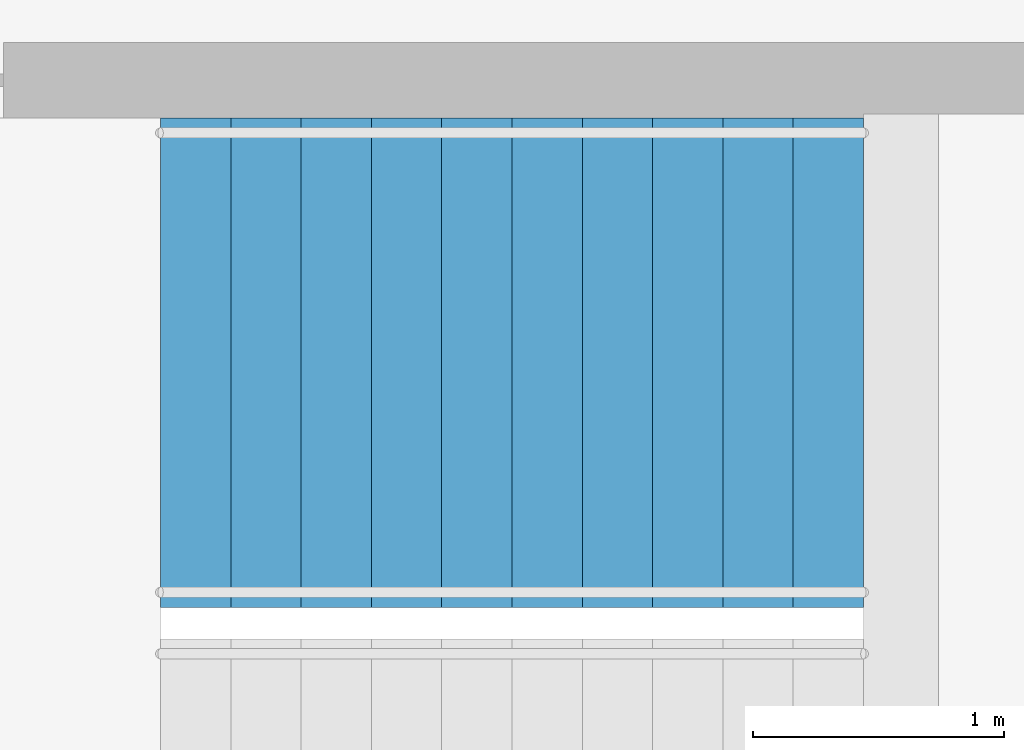
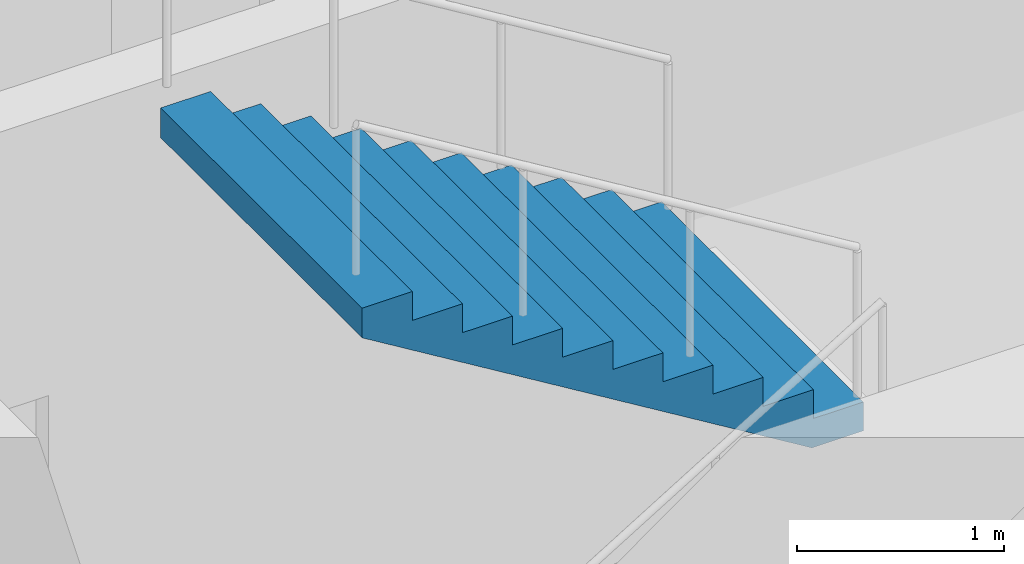
# One storey, part 19 of 22: 1 stair flight, 1 element without a shape of its own.
"""IFC4 building model written with IfcOpenShell, lengths in metres."""

from ifc_helpers import new_model, si_unit, direction, frame, origin, place, context, subcontext, project, spatial, triangles, material, type_object, element, aggregate, save


model = new_model("IFC4")

# Units and contexts
model_context = context("Model", 3, precision=1e-05, world=origin(), true_north=direction((0.0, 1.0)))
body_context = subcontext(model_context, "Body", "Model", "MODEL_VIEW")
ifc_project = project(units=[si_unit("LENGTHUNIT", "METRE"), si_unit("AREAUNIT", "SQUARE_METRE"), si_unit("VOLUMEUNIT", "CUBIC_METRE"), si_unit("PLANEANGLEUNIT", "RADIAN"), si_unit("MASSUNIT", "GRAM", prefix="KILO")], contexts=[model_context])

# Site, building, storey
site_placement = place(None, origin())
site = spatial("IfcSite", under=ifc_project, at=site_placement, CompositionType="ELEMENT")
building_placement = place(site_placement, origin())
building = spatial("IfcBuilding", under=site, at=building_placement, Name="Orbita Commons", CompositionType="ELEMENT")
storey_placement = place(building_placement, frame((0.0, 0.0, 156.10009765625)))
storey = spatial("IfcBuildingStorey", under=building, at=storey_placement, Name="L38", CompositionType="ELEMENT", Elevation=156.10009765625)

# Stair, stair flight
ifc_material_1 = material(Name="Precast concrete C40/50", Category="concrete")
stair_type = type_object("IfcStairType", Name="Exit stair S1 2 flights 11 risers 170", PredefinedType="HALF_TURN_STAIR", material=ifc_material_1)
stair_placement = place(storey_placement, origin())
stair = element("IfcStair", 1, at=stair_placement, inside=storey, type_object=stair_type, Name="Exit stair S1 L38", PredefinedType="HALF_TURN_STAIR")
ifc_material_2 = material(Name="Precast concrete C40/50", Category="concrete")
stair_flight_type = type_object("IfcStairFlightType", Name="Stair flight 11 risers 170 x 280", PredefinedType="STRAIGHT", material=ifc_material_2)
stair_flight_placement = place(storey_placement, frame((23.25, 29.27490234375, 1.875), z_axis=(0.0, 0.0, 1.0), x_axis=(-1.0, 0.0, 0.0)))
stair_flight = element("IfcStairFlight", 2, at=stair_flight_placement, type_object=stair_flight_type, Name="S1 flight 2", NumberOfRisers=11, NumberOfTreads=10, PredefinedType="STRAIGHT", RiserHeight=0.170454545, TreadLength=0.28, context=body_context, shape_type="Tessellation", body=[
    triangles([(0.0, 0.974976, 0.0), (0.0, 0.974976, 0.021307), (0.0, 0.81248, 0.021307), (0.0, 0.81248, 0.0), (0.0, 0.649984, 0.021307), (0.0, 0.649984, 0.0), (0.0, 0.487488, 0.021307), (0.0, 0.487488, 0.0), (0.0, 0.324992, 0.021307), (0.0, 0.324992, 0.0), (0.0, 0.162496, 0.021307), (0.0, 0.162496, 0.0), (0.0, 0.0, 0.021307), (0.0, 0.0, 0.0), (0.0, -0.162496, 0.021307), (0.0, -0.162496, 0.0), (0.0, -0.324992, 0.021307), (0.0, -0.324992, 0.0), (0.0, -0.487488, 0.021307), (0.0, -0.487488, 0.0), (0.0, -0.649984, 0.021307), (0.0, -0.649984, 0.0), (0.0, -0.81248, 0.021307), (0.0, -0.81248, 0.0), (0.0, -0.974976, 0.021307), (0.0, -0.974976, 0.0), (0.0, 0.974976, 0.042614), (0.0, 0.81248, 0.042614), (0.0, 0.649984, 0.042614), (0.0, 0.487488, 0.042614), (0.0, 0.324992, 0.042614), (0.0, 0.162496, 0.042614), (0.0, 0.0, 0.042614), (0.0, -0.162496, 0.042614), (0.0, -0.324992, 0.042614), (0.0, -0.487488, 0.042614), (0.0, -0.649984, 0.042614), (0.0, -0.81248, 0.042614), (0.0, -0.974976, 0.042614), (0.0, 0.974976, 0.06392), (0.0, 0.81248, 0.06392), (0.0, 0.649984, 0.06392), (0.0, 0.487488, 0.06392), (0.0, 0.324992, 0.06392), (0.0, 0.162496, 0.06392), (0.0, 0.0, 0.06392), (0.0, -0.162496, 0.06392), (0.0, -0.324992, 0.06392), (0.0, -0.487488, 0.06392), (0.0, -0.649984, 0.06392), (0.0, -0.81248, 0.06392), (0.0, -0.974976, 0.06392), (0.0, 0.974976, 0.085227), (0.0, 0.81248, 0.085227), (0.0, 0.649984, 0.085227), (0.0, 0.487488, 0.085227), (0.0, 0.324992, 0.085227), (0.0, 0.162496, 0.085227), (0.0, 0.0, 0.085227), (0.0, -0.162496, 0.085227), (0.0, -0.324992, 0.085227), (0.0, -0.487488, 0.085227), (0.0, -0.649984, 0.085227), (0.0, -0.81248, 0.085227), (0.0, -0.974976, 0.085227), (0.0, 0.974976, 0.106534), (0.0, 0.81248, 0.106534), (0.0, 0.649984, 0.106534), (0.0, 0.487488, 0.106534), (0.0, 0.324992, 0.106534), (0.0, 0.162496, 0.106534), (0.0, 0.0, 0.106534), (0.0, -0.162496, 0.106534), (0.0, -0.324992, 0.106534), (0.0, -0.487488, 0.106534), (0.0, -0.649984, 0.106534), (0.0, -0.81248, 0.106534), (0.0, -0.974976, 0.106534), (0.0, 0.974976, 0.127841), (0.0, 0.81248, 0.127841), (0.0, 0.649984, 0.127841), (0.0, 0.487488, 0.127841), (0.0, 0.324992, 0.127841), (0.0, 0.162496, 0.127841), (0.0, 0.0, 0.127841), (0.0, -0.162496, 0.127841), (0.0, -0.324992, 0.127841), (0.0, -0.487488, 0.127841), (0.0, -0.649984, 0.127841), (0.0, -0.81248, 0.127841), (0.0, -0.974976, 0.127841), (0.0, 0.974976, 0.149148), (0.0, 0.81248, 0.149148), (0.0, 0.649984, 0.149148), (0.0, 0.487488, 0.149148), (0.0, 0.324992, 0.149148), (0.0, 0.162496, 0.149148), (0.0, 0.0, 0.149148), (0.0, -0.162496, 0.149148), (0.0, -0.324992, 0.149148), (0.0, -0.487488, 0.149148), (0.0, -0.649984, 0.149148), (0.0, -0.81248, 0.149148), (0.0, -0.974976, 0.149148), (0.0, 0.974976, 0.170455), (0.0, 0.81248, 0.170455), (0.0, 0.649984, 0.170455), (0.0, 0.487488, 0.170455), (0.0, 0.324992, 0.170455), (0.0, 0.162496, 0.170455), (0.0, 0.0, 0.170455), (0.0, -0.162496, 0.170455), (0.0, -0.324992, 0.170455), (0.0, -0.487488, 0.170455), (0.0, -0.649984, 0.170455), (0.0, -0.81248, 0.170455), (0.0, -0.974976, 0.170455), (0.28, 0.974976, 0.170455), (0.28, 0.81248, 0.170455), (0.28, 0.649984, 0.170455), (0.28, 0.487488, 0.170455), (0.28, 0.324992, 0.170455), (0.28, 0.162496, 0.170455), (0.28, 0.0, 0.170455), (0.28, -0.162496, 0.170455), (0.28, -0.324992, 0.170455), (0.28, -0.487488, 0.170455), (0.28, -0.649984, 0.170455), (0.28, -0.81248, 0.170455), (0.28, -0.974976, 0.170455), (0.28, 0.974976, 0.340909), (0.28, 0.81248, 0.340909), (0.28, 0.649984, 0.340909), (0.28, 0.487488, 0.340909), (0.28, 0.324992, 0.340909), (0.28, 0.162496, 0.340909), (0.28, 0.0, 0.340909), (0.28, -0.162496, 0.340909), (0.28, -0.324992, 0.340909), (0.28, -0.487488, 0.340909), (0.28, -0.649984, 0.340909), (0.28, -0.81248, 0.340909), (0.28, -0.974976, 0.340909), (0.56, 0.974976, 0.340909), (0.56, 0.81248, 0.340909), (0.56, 0.649984, 0.340909), (0.56, 0.487488, 0.340909), (0.56, 0.324992, 0.340909), (0.56, 0.162496, 0.340909), (0.56, 0.0, 0.340909), (0.56, -0.162496, 0.340909), (0.56, -0.324992, 0.340909), (0.56, -0.487488, 0.340909), (0.56, -0.649984, 0.340909), (0.56, -0.81248, 0.340909), (0.56, -0.974976, 0.340909), (0.56, 0.974976, 0.511364), (0.56, 0.81248, 0.511364), (0.56, 0.649984, 0.511364), (0.56, 0.487488, 0.511364), (0.56, 0.324992, 0.511364), (0.56, 0.162496, 0.511364), (0.56, 0.0, 0.511364), (0.56, -0.162496, 0.511364), (0.56, -0.324992, 0.511364), (0.56, -0.487488, 0.511364), (0.56, -0.649984, 0.511364), (0.56, -0.81248, 0.511364), (0.56, -0.974976, 0.511364), (0.84, 0.974976, 0.511364), (0.84, 0.81248, 0.511364), (0.84, 0.649984, 0.511364), (0.84, 0.487488, 0.511364), (0.84, 0.324992, 0.511364), (0.84, 0.162496, 0.511364), (0.84, 0.0, 0.511364), (0.84, -0.162496, 0.511364), (0.84, -0.324992, 0.511364), (0.84, -0.487488, 0.511364), (0.84, -0.649984, 0.511364), (0.84, -0.81248, 0.511364), (0.84, -0.974976, 0.511364), (0.84, 0.974976, 0.681818), (0.84, 0.81248, 0.681818), (0.84, 0.649984, 0.681818), (0.84, 0.487488, 0.681818), (0.84, 0.324992, 0.681818), (0.84, 0.162496, 0.681818), (0.84, 0.0, 0.681818), (0.84, -0.162496, 0.681818), (0.84, -0.324992, 0.681818), (0.84, -0.487488, 0.681818), (0.84, -0.649984, 0.681818), (0.84, -0.81248, 0.681818), (0.84, -0.974976, 0.681818), (1.12, 0.974976, 0.681818), (1.12, 0.81248, 0.681818), (1.12, 0.649984, 0.681818), (1.12, 0.487488, 0.681818), (1.12, 0.324992, 0.681818), (1.12, 0.162496, 0.681818), (1.12, 0.0, 0.681818), (1.12, -0.162496, 0.681818), (1.12, -0.324992, 0.681818), (1.12, -0.487488, 0.681818), (1.12, -0.649984, 0.681818), (1.12, -0.81248, 0.681818), (1.12, -0.974976, 0.681818), (1.12, 0.974976, 0.852273), (1.12, 0.81248, 0.852273), (1.12, 0.649984, 0.852273), (1.12, 0.487488, 0.852273), (1.12, 0.324992, 0.852273), (1.12, 0.162496, 0.852273), (1.12, 0.0, 0.852273), (1.12, -0.162496, 0.852273), (1.12, -0.324992, 0.852273), (1.12, -0.487488, 0.852273), (1.12, -0.649984, 0.852273), (1.12, -0.81248, 0.852273), (1.12, -0.974976, 0.852273), (1.4, 0.974976, 0.852273), (1.4, 0.81248, 0.852273), (1.4, 0.649984, 0.852273), (1.4, 0.487488, 0.852273), (1.4, 0.324992, 0.852273), (1.4, 0.162496, 0.852273), (1.4, 0.0, 0.852273), (1.4, -0.162496, 0.852273), (1.4, -0.324992, 0.852273), (1.4, -0.487488, 0.852273), (1.4, -0.649984, 0.852273), (1.4, -0.81248, 0.852273), (1.4, -0.974976, 0.852273), (1.4, 0.974976, 1.022727), (1.4, 0.81248, 1.022727), (1.4, 0.649984, 1.022727), (1.4, 0.487488, 1.022727), (1.4, 0.324992, 1.022727), (1.4, 0.162496, 1.022727), (1.4, 0.0, 1.022727), (1.4, -0.162496, 1.022727), (1.4, -0.324992, 1.022727), (1.4, -0.487488, 1.022727), (1.4, -0.649984, 1.022727), (1.4, -0.81248, 1.022727), (1.4, -0.974976, 1.022727), (1.68, 0.974976, 1.022727), (1.68, 0.81248, 1.022727), (1.68, 0.649984, 1.022727), (1.68, 0.487488, 1.022727), (1.68, 0.324992, 1.022727), (1.68, 0.162496, 1.022727), (1.68, 0.0, 1.022727), (1.68, -0.162496, 1.022727), (1.68, -0.324992, 1.022727), (1.68, -0.487488, 1.022727), (1.68, -0.649984, 1.022727), (1.68, -0.81248, 1.022727), (1.68, -0.974976, 1.022727), (1.68, 0.974976, 1.193182), (1.68, 0.81248, 1.193182), (1.68, 0.649984, 1.193182), (1.68, 0.487488, 1.193182), (1.68, 0.324992, 1.193182), (1.68, 0.162496, 1.193182), (1.68, 0.0, 1.193182), (1.68, -0.162496, 1.193182), (1.68, -0.324992, 1.193182), (1.68, -0.487488, 1.193182), (1.68, -0.649984, 1.193182), (1.68, -0.81248, 1.193182), (1.68, -0.974976, 1.193182), (1.96, 0.974976, 1.193182), (1.96, 0.81248, 1.193182), (1.96, 0.649984, 1.193182), (1.96, 0.487488, 1.193182), (1.96, 0.324992, 1.193182), (1.96, 0.162496, 1.193182), (1.96, 0.0, 1.193182), (1.96, -0.162496, 1.193182), (1.96, -0.324992, 1.193182), (1.96, -0.487488, 1.193182), (1.96, -0.649984, 1.193182), (1.96, -0.81248, 1.193182), (1.96, -0.974976, 1.193182), (1.96, 0.974976, 1.363636), (1.96, 0.81248, 1.363636), (1.96, 0.649984, 1.363636), (1.96, 0.487488, 1.363636), (1.96, 0.324992, 1.363636), (1.96, 0.162496, 1.363636), (1.96, 0.0, 1.363636), (1.96, -0.162496, 1.363636), (1.96, -0.324992, 1.363636), (1.96, -0.487488, 1.363636), (1.96, -0.649984, 1.363636), (1.96, -0.81248, 1.363636), (1.96, -0.974976, 1.363636), (2.24, 0.974976, 1.363636), (2.24, 0.81248, 1.363636), (2.24, 0.649984, 1.363636), (2.24, 0.487488, 1.363636), (2.24, 0.324992, 1.363636), (2.24, 0.162496, 1.363636), (2.24, 0.0, 1.363636), (2.24, -0.162496, 1.363636), (2.24, -0.324992, 1.363636), (2.24, -0.487488, 1.363636), (2.24, -0.649984, 1.363636), (2.24, -0.81248, 1.363636), (2.24, -0.974976, 1.363636), (2.24, 0.974976, 1.534091), (2.24, 0.81248, 1.534091), (2.24, 0.649984, 1.534091), (2.24, 0.487488, 1.534091), (2.24, 0.324992, 1.534091), (2.24, 0.162496, 1.534091), (2.24, 0.0, 1.534091), (2.24, -0.162496, 1.534091), (2.24, -0.324992, 1.534091), (2.24, -0.487488, 1.534091), (2.24, -0.649984, 1.534091), (2.24, -0.81248, 1.534091), (2.24, -0.974976, 1.534091), (2.52, 0.974976, 1.534091), (2.52, 0.81248, 1.534091), (2.52, 0.649984, 1.534091), (2.52, 0.487488, 1.534091), (2.52, 0.324992, 1.534091), (2.52, 0.162496, 1.534091), (2.52, 0.0, 1.534091), (2.52, -0.162496, 1.534091), (2.52, -0.324992, 1.534091), (2.52, -0.487488, 1.534091), (2.52, -0.649984, 1.534091), (2.52, -0.81248, 1.534091), (2.52, -0.974976, 1.534091), (2.52, 0.974976, 1.704545), (2.52, 0.81248, 1.704545), (2.52, 0.649984, 1.704545), (2.52, 0.487488, 1.704545), (2.52, 0.324992, 1.704545), (2.52, 0.162496, 1.704545), (2.52, 0.0, 1.704545), (2.52, -0.162496, 1.704545), (2.52, -0.324992, 1.704545), (2.52, -0.487488, 1.704545), (2.52, -0.649984, 1.704545), (2.52, -0.81248, 1.704545), (2.52, -0.974976, 1.704545), (2.8, 0.974976, 1.704545), (2.8, 0.81248, 1.704545), (2.8, 0.649984, 1.704545), (2.8, 0.487488, 1.704545), (2.8, 0.324992, 1.704545), (2.8, 0.162496, 1.704545), (2.8, 0.0, 1.704545), (2.8, -0.162496, 1.704545), (2.8, -0.324992, 1.704545), (2.8, -0.487488, 1.704545), (2.8, -0.649984, 1.704545), (2.8, -0.81248, 1.704545), (2.8, -0.974976, 1.704545), (2.8, 0.974976, 1.682609), (2.8, 0.81248, 1.682609), (2.8, 0.649984, 1.682609), (2.8, 0.487488, 1.682609), (2.8, 0.324992, 1.682609), (2.8, 0.162496, 1.682609), (2.8, 0.0, 1.682609), (2.8, -0.162496, 1.682609), (2.8, -0.324992, 1.682609), (2.8, -0.487488, 1.682609), (2.8, -0.649984, 1.682609), (2.8, -0.81248, 1.682609), (2.8, -0.974976, 1.682609), (2.8, 0.974976, 1.660672), (2.8, 0.81248, 1.660672), (2.8, 0.649984, 1.660672), (2.8, 0.487488, 1.660672), (2.8, 0.324992, 1.660672), (2.8, 0.162496, 1.660672), (2.8, 0.0, 1.660672), (2.8, -0.162496, 1.660672), (2.8, -0.324992, 1.660672), (2.8, -0.487488, 1.660672), (2.8, -0.649984, 1.660672), (2.8, -0.81248, 1.660672), (2.8, -0.974976, 1.660672), (2.8, 0.974976, 1.638735), (2.8, 0.81248, 1.638735), (2.8, 0.649984, 1.638735), (2.8, 0.487488, 1.638735), (2.8, 0.324992, 1.638735), (2.8, 0.162496, 1.638735), (2.8, 0.0, 1.638735), (2.8, -0.162496, 1.638735), (2.8, -0.324992, 1.638735), (2.8, -0.487488, 1.638735), (2.8, -0.649984, 1.638735), (2.8, -0.81248, 1.638735), (2.8, -0.974976, 1.638735), (2.8, 0.974976, 1.616798), (2.8, 0.81248, 1.616798), (2.8, 0.649984, 1.616798), (2.8, 0.487488, 1.616798), (2.8, 0.324992, 1.616798), (2.8, 0.162496, 1.616798), (2.8, 0.0, 1.616798), (2.8, -0.162496, 1.616798), (2.8, -0.324992, 1.616798), (2.8, -0.487488, 1.616798), (2.8, -0.649984, 1.616798), (2.8, -0.81248, 1.616798), (2.8, -0.974976, 1.616798), (2.8, 0.974976, 1.594861), (2.8, 0.81248, 1.594861), (2.8, 0.649984, 1.594861), (2.8, 0.487488, 1.594861), (2.8, 0.324992, 1.594861), (2.8, 0.162496, 1.594861), (2.8, 0.0, 1.594861), (2.8, -0.162496, 1.594861), (2.8, -0.324992, 1.594861), (2.8, -0.487488, 1.594861), (2.8, -0.649984, 1.594861), (2.8, -0.81248, 1.594861), (2.8, -0.974976, 1.594861), (2.8, 0.974976, 1.572925), (2.8, 0.81248, 1.572925), (2.8, 0.649984, 1.572925), (2.8, 0.487488, 1.572925), (2.8, 0.324992, 1.572925), (2.8, 0.162496, 1.572925), (2.8, 0.0, 1.572925), (2.8, -0.162496, 1.572925), (2.8, -0.324992, 1.572925), (2.8, -0.487488, 1.572925), (2.8, -0.649984, 1.572925), (2.8, -0.81248, 1.572925), (2.8, -0.974976, 1.572925), (2.8, 0.974976, 1.550988), (2.8, 0.81248, 1.550988), (2.8, 0.649984, 1.550988), (2.8, 0.487488, 1.550988), (2.8, 0.324992, 1.550988), (2.8, 0.162496, 1.550988), (2.8, 0.0, 1.550988), (2.8, -0.162496, 1.550988), (2.8, -0.324992, 1.550988), (2.8, -0.487488, 1.550988), (2.8, -0.649984, 1.550988), (2.8, -0.81248, 1.550988), (2.8, -0.974976, 1.550988), (2.8, 0.974976, 1.529051), (2.8, 0.81248, 1.529051), (2.8, 0.649984, 1.529051), (2.8, 0.487488, 1.529051), (2.8, 0.324992, 1.529051), (2.8, 0.162496, 1.529051), (2.8, 0.0, 1.529051), (2.8, -0.162496, 1.529051), (2.8, -0.324992, 1.529051), (2.8, -0.487488, 1.529051), (2.8, -0.649984, 1.529051), (2.8, -0.81248, 1.529051), (2.8, -0.974976, 1.529051), (0.288279, 0.974976, 0.0), (0.288279, 0.81248, 0.0), (0.288279, 0.649984, 0.0), (0.288279, 0.487488, 0.0), (0.288279, 0.324992, 0.0), (0.288279, 0.162496, 0.0), (0.288279, 0.0, 0.0), (0.288279, -0.162496, 0.0), (0.288279, -0.324992, 0.0), (0.288279, -0.487488, 0.0), (0.288279, -0.649984, 0.0), (0.288279, -0.81248, 0.0), (0.288279, -0.974976, 0.0)], [[3, 2, 1], [4, 3, 1], [5, 3, 4], [6, 5, 4], [7, 5, 6], [8, 7, 6], [9, 7, 8], [10, 9, 8], [11, 9, 10], [12, 11, 10], [13, 11, 12], [14, 13, 12], [15, 13, 14], [16, 15, 14], [17, 15, 16], [18, 17, 16], [19, 17, 18], [20, 19, 18], [21, 19, 20], [22, 21, 20], [23, 21, 22], [24, 23, 22], [25, 23, 24], [26, 25, 24], [28, 27, 2], [3, 28, 2], [29, 28, 3], [5, 29, 3], [30, 29, 5], [7, 30, 5], [31, 30, 7], [9, 31, 7], [32, 31, 9], [11, 32, 9], [33, 32, 11], [13, 33, 11], [34, 33, 13], [15, 34, 13], [35, 34, 15], [17, 35, 15], [36, 35, 17], [19, 36, 17], [37, 36, 19], [21, 37, 19], [38, 37, 21], [23, 38, 21], [39, 38, 23], [25, 39, 23], [41, 40, 27], [28, 41, 27], [42, 41, 28], [29, 42, 28], [43, 42, 29], [30, 43, 29], [44, 43, 30], [31, 44, 30], [45, 44, 31], [32, 45, 31], [46, 45, 32], [33, 46, 32], [47, 46, 33], [34, 47, 33], [48, 47, 34], [35, 48, 34], [49, 48, 35], [36, 49, 35], [50, 49, 36], [37, 50, 36], [51, 50, 37], [38, 51, 37], [52, 51, 38], [39, 52, 38], [54, 53, 40], [41, 54, 40], [55, 54, 41], [42, 55, 41], [56, 55, 42], [43, 56, 42], [57, 56, 43], [44, 57, 43], [58, 57, 44], [45, 58, 44], [59, 58, 45], [46, 59, 45], [60, 59, 46], [47, 60, 46], [61, 60, 47], [48, 61, 47], [62, 61, 48], [49, 62, 48], [63, 62, 49], [50, 63, 49], [64, 63, 50], [51, 64, 50], [65, 64, 51], [52, 65, 51], [67, 66, 53], [54, 67, 53], [68, 67, 54], [55, 68, 54], [69, 68, 55], [56, 69, 55], [70, 69, 56], [57, 70, 56], [71, 70, 57], [58, 71, 57], [72, 71, 58], [59, 72, 58], [73, 72, 59], [60, 73, 59], [74, 73, 60], [61, 74, 60], [75, 74, 61], [62, 75, 61], [76, 75, 62], [63, 76, 62], [77, 76, 63], [64, 77, 63], [78, 77, 64], [65, 78, 64], [80, 79, 66], [67, 80, 66], [81, 80, 67], [68, 81, 67], [82, 81, 68], [69, 82, 68], [83, 82, 69], [70, 83, 69], [84, 83, 70], [71, 84, 70], [85, 84, 71], [72, 85, 71], [86, 85, 72], [73, 86, 72], [87, 86, 73], [74, 87, 73], [88, 87, 74], [75, 88, 74], [89, 88, 75], [76, 89, 75], [90, 89, 76], [77, 90, 76], [91, 90, 77], [78, 91, 77], [93, 92, 79], [80, 93, 79], [94, 93, 80], [81, 94, 80], [95, 94, 81], [82, 95, 81], [96, 95, 82], [83, 96, 82], [97, 96, 83], [84, 97, 83], [98, 97, 84], [85, 98, 84], [99, 98, 85], [86, 99, 85], [100, 99, 86], [87, 100, 86], [101, 100, 87], [88, 101, 87], [102, 101, 88], [89, 102, 88], [103, 102, 89], [90, 103, 89], [104, 103, 90], [91, 104, 90], [106, 105, 92], [93, 106, 92], [107, 106, 93], [94, 107, 93], [108, 107, 94], [95, 108, 94], [109, 108, 95], [96, 109, 95], [110, 109, 96], [97, 110, 96], [111, 110, 97], [98, 111, 97], [112, 111, 98], [99, 112, 98], [113, 112, 99], [100, 113, 99], [114, 113, 100], [101, 114, 100], [115, 114, 101], [102, 115, 101], [116, 115, 102], [103, 116, 102], [117, 116, 103], [104, 117, 103], [119, 118, 105], [106, 119, 105], [120, 119, 106], [107, 120, 106], [121, 120, 107], [108, 121, 107], [122, 121, 108], [109, 122, 108], [123, 122, 109], [110, 123, 109], [124, 123, 110], [111, 124, 110], [125, 124, 111], [112, 125, 111], [126, 125, 112], [113, 126, 112], [127, 126, 113], [114, 127, 113], [128, 127, 114], [115, 128, 114], [129, 128, 115], [116, 129, 115], [130, 129, 116], [117, 130, 116], [132, 131, 118], [119, 132, 118], [133, 132, 119], [120, 133, 119], [134, 133, 120], [121, 134, 120], [135, 134, 121], [122, 135, 121], [136, 135, 122], [123, 136, 122], [137, 136, 123], [124, 137, 123], [138, 137, 124], [125, 138, 124], [139, 138, 125], [126, 139, 125], [140, 139, 126], [127, 140, 126], [141, 140, 127], [128, 141, 127], [142, 141, 128], [129, 142, 128], [143, 142, 129], [130, 143, 129], [145, 144, 131], [132, 145, 131], [146, 145, 132], [133, 146, 132], [147, 146, 133], [134, 147, 133], [148, 147, 134], [135, 148, 134], [149, 148, 135], [136, 149, 135], [150, 149, 136], [137, 150, 136], [151, 150, 137], [138, 151, 137], [152, 151, 138], [139, 152, 138], [153, 152, 139], [140, 153, 139], [154, 153, 140], [141, 154, 140], [155, 154, 141], [142, 155, 141], [156, 155, 142], [143, 156, 142], [158, 157, 144], [145, 158, 144], [159, 158, 145], [146, 159, 145], [160, 159, 146], [147, 160, 146], [161, 160, 147], [148, 161, 147], [162, 161, 148], [149, 162, 148], [163, 162, 149], [150, 163, 149], [164, 163, 150], [151, 164, 150], [165, 164, 151], [152, 165, 151], [166, 165, 152], [153, 166, 152], [167, 166, 153], [154, 167, 153], [168, 167, 154], [155, 168, 154], [169, 168, 155], [156, 169, 155], [171, 170, 157], [158, 171, 157], [172, 171, 158], [159, 172, 158], [173, 172, 159], [160, 173, 159], [174, 173, 160], [161, 174, 160], [175, 174, 161], [162, 175, 161], [176, 175, 162], [163, 176, 162], [177, 176, 163], [164, 177, 163], [178, 177, 164], [165, 178, 164], [179, 178, 165], [166, 179, 165], [180, 179, 166], [167, 180, 166], [181, 180, 167], [168, 181, 167], [182, 181, 168], [169, 182, 168], [184, 183, 170], [171, 184, 170], [185, 184, 171], [172, 185, 171], [186, 185, 172], [173, 186, 172], [187, 186, 173], [174, 187, 173], [188, 187, 174], [175, 188, 174], [189, 188, 175], [176, 189, 175], [190, 189, 176], [177, 190, 176], [191, 190, 177], [178, 191, 177], [192, 191, 178], [179, 192, 178], [193, 192, 179], [180, 193, 179], [194, 193, 180], [181, 194, 180], [195, 194, 181], [182, 195, 181], [197, 196, 183], [184, 197, 183], [198, 197, 184], [185, 198, 184], [199, 198, 185], [186, 199, 185], [200, 199, 186], [187, 200, 186], [201, 200, 187], [188, 201, 187], [202, 201, 188], [189, 202, 188], [203, 202, 189], [190, 203, 189], [204, 203, 190], [191, 204, 190], [205, 204, 191], [192, 205, 191], [206, 205, 192], [193, 206, 192], [207, 206, 193], [194, 207, 193], [208, 207, 194], [195, 208, 194], [210, 209, 196], [197, 210, 196], [211, 210, 197], [198, 211, 197], [212, 211, 198], [199, 212, 198], [213, 212, 199], [200, 213, 199], [214, 213, 200], [201, 214, 200], [215, 214, 201], [202, 215, 201], [216, 215, 202], [203, 216, 202], [217, 216, 203], [204, 217, 203], [218, 217, 204], [205, 218, 204], [219, 218, 205], [206, 219, 205], [220, 219, 206], [207, 220, 206], [221, 220, 207], [208, 221, 207], [223, 222, 209], [210, 223, 209], [224, 223, 210], [211, 224, 210], [225, 224, 211], [212, 225, 211], [226, 225, 212], [213, 226, 212], [227, 226, 213], [214, 227, 213], [228, 227, 214], [215, 228, 214], [229, 228, 215], [216, 229, 215], [230, 229, 216], [217, 230, 216], [231, 230, 217], [218, 231, 217], [232, 231, 218], [219, 232, 218], [233, 232, 219], [220, 233, 219], [234, 233, 220], [221, 234, 220], [236, 235, 222], [223, 236, 222], [237, 236, 223], [224, 237, 223], [238, 237, 224], [225, 238, 224], [239, 238, 225], [226, 239, 225], [240, 239, 226], [227, 240, 226], [241, 240, 227], [228, 241, 227], [242, 241, 228], [229, 242, 228], [243, 242, 229], [230, 243, 229], [244, 243, 230], [231, 244, 230], [245, 244, 231], [232, 245, 231], [246, 245, 232], [233, 246, 232], [247, 246, 233], [234, 247, 233], [249, 248, 235], [236, 249, 235], [250, 249, 236], [237, 250, 236], [251, 250, 237], [238, 251, 237], [252, 251, 238], [239, 252, 238], [253, 252, 239], [240, 253, 239], [254, 253, 240], [241, 254, 240], [255, 254, 241], [242, 255, 241], [256, 255, 242], [243, 256, 242], [257, 256, 243], [244, 257, 243], [258, 257, 244], [245, 258, 244], [259, 258, 245], [246, 259, 245], [260, 259, 246], [247, 260, 246], [262, 261, 248], [249, 262, 248], [263, 262, 249], [250, 263, 249], [264, 263, 250], [251, 264, 250], [265, 264, 251], [252, 265, 251], [266, 265, 252], [253, 266, 252], [267, 266, 253], [254, 267, 253], [268, 267, 254], [255, 268, 254], [269, 268, 255], [256, 269, 255], [270, 269, 256], [257, 270, 256], [271, 270, 257], [258, 271, 257], [272, 271, 258], [259, 272, 258], [273, 272, 259], [260, 273, 259], [275, 274, 261], [262, 275, 261], [276, 275, 262], [263, 276, 262], [277, 276, 263], [264, 277, 263], [278, 277, 264], [265, 278, 264], [279, 278, 265], [266, 279, 265], [280, 279, 266], [267, 280, 266], [281, 280, 267], [268, 281, 267], [282, 281, 268], [269, 282, 268], [283, 282, 269], [270, 283, 269], [284, 283, 270], [271, 284, 270], [285, 284, 271], [272, 285, 271], [286, 285, 272], [273, 286, 272], [288, 287, 274], [275, 288, 274], [289, 288, 275], [276, 289, 275], [290, 289, 276], [277, 290, 276], [291, 290, 277], [278, 291, 277], [292, 291, 278], [279, 292, 278], [293, 292, 279], [280, 293, 279], [294, 293, 280], [281, 294, 280], [295, 294, 281], [282, 295, 281], [296, 295, 282], [283, 296, 282], [297, 296, 283], [284, 297, 283], [298, 297, 284], [285, 298, 284], [299, 298, 285], [286, 299, 285], [301, 300, 287], [288, 301, 287], [302, 301, 288], [289, 302, 288], [303, 302, 289], [290, 303, 289], [304, 303, 290], [291, 304, 290], [305, 304, 291], [292, 305, 291], [306, 305, 292], [293, 306, 292], [307, 306, 293], [294, 307, 293], [308, 307, 294], [295, 308, 294], [309, 308, 295], [296, 309, 295], [310, 309, 296], [297, 310, 296], [311, 310, 297], [298, 311, 297], [312, 311, 298], [299, 312, 298], [314, 313, 300], [301, 314, 300], [315, 314, 301], [302, 315, 301], [316, 315, 302], [303, 316, 302], [317, 316, 303], [304, 317, 303], [318, 317, 304], [305, 318, 304], [319, 318, 305], [306, 319, 305], [320, 319, 306], [307, 320, 306], [321, 320, 307], [308, 321, 307], [322, 321, 308], [309, 322, 308], [323, 322, 309], [310, 323, 309], [324, 323, 310], [311, 324, 310], [325, 324, 311], [312, 325, 311], [327, 326, 313], [314, 327, 313], [328, 327, 314], [315, 328, 314], [329, 328, 315], [316, 329, 315], [330, 329, 316], [317, 330, 316], [331, 330, 317], [318, 331, 317], [332, 331, 318], [319, 332, 318], [333, 332, 319], [320, 333, 319], [334, 333, 320], [321, 334, 320], [335, 334, 321], [322, 335, 321], [336, 335, 322], [323, 336, 322], [337, 336, 323], [324, 337, 323], [338, 337, 324], [325, 338, 324], [340, 339, 326], [327, 340, 326], [341, 340, 327], [328, 341, 327], [342, 341, 328], [329, 342, 328], [343, 342, 329], [330, 343, 329], [344, 343, 330], [331, 344, 330], [345, 344, 331], [332, 345, 331], [346, 345, 332], [333, 346, 332], [347, 346, 333], [334, 347, 333], [348, 347, 334], [335, 348, 334], [349, 348, 335], [336, 349, 335], [350, 349, 336], [337, 350, 336], [351, 350, 337], [338, 351, 337], [353, 352, 339], [340, 353, 339], [354, 353, 340], [341, 354, 340], [355, 354, 341], [342, 355, 341], [356, 355, 342], [343, 356, 342], [357, 356, 343], [344, 357, 343], [358, 357, 344], [345, 358, 344], [359, 358, 345], [346, 359, 345], [360, 359, 346], [347, 360, 346], [361, 360, 347], [348, 361, 347], [362, 361, 348], [349, 362, 348], [363, 362, 349], [350, 363, 349], [364, 363, 350], [351, 364, 350], [366, 365, 352], [353, 366, 352], [367, 366, 353], [354, 367, 353], [368, 367, 354], [355, 368, 354], [369, 368, 355], [356, 369, 355], [370, 369, 356], [357, 370, 356], [371, 370, 357], [358, 371, 357], [372, 371, 358], [359, 372, 358], [373, 372, 359], [360, 373, 359], [374, 373, 360], [361, 374, 360], [375, 374, 361], [362, 375, 361], [376, 375, 362], [363, 376, 362], [377, 376, 363], [364, 377, 363], [379, 378, 365], [366, 379, 365], [380, 379, 366], [367, 380, 366], [381, 380, 367], [368, 381, 367], [382, 381, 368], [369, 382, 368], [383, 382, 369], [370, 383, 369], [384, 383, 370], [371, 384, 370], [385, 384, 371], [372, 385, 371], [386, 385, 372], [373, 386, 372], [387, 386, 373], [374, 387, 373], [388, 387, 374], [375, 388, 374], [389, 388, 375], [376, 389, 375], [390, 389, 376], [377, 390, 376], [392, 391, 378], [379, 392, 378], [393, 392, 379], [380, 393, 379], [394, 393, 380], [381, 394, 380], [395, 394, 381], [382, 395, 381], [396, 395, 382], [383, 396, 382], [397, 396, 383], [384, 397, 383], [398, 397, 384], [385, 398, 384], [399, 398, 385], [386, 399, 385], [400, 399, 386], [387, 400, 386], [401, 400, 387], [388, 401, 387], [402, 401, 388], [389, 402, 388], [403, 402, 389], [390, 403, 389], [405, 404, 391], [392, 405, 391], [406, 405, 392], [393, 406, 392], [407, 406, 393], [394, 407, 393], [408, 407, 394], [395, 408, 394], [409, 408, 395], [396, 409, 395], [410, 409, 396], [397, 410, 396], [411, 410, 397], [398, 411, 397], [412, 411, 398], [399, 412, 398], [413, 412, 399], [400, 413, 399], [414, 413, 400], [401, 414, 400], [415, 414, 401], [402, 415, 401], [416, 415, 402], [403, 416, 402], [418, 417, 404], [405, 418, 404], [419, 418, 405], [406, 419, 405], [420, 419, 406], [407, 420, 406], [421, 420, 407], [408, 421, 407], [422, 421, 408], [409, 422, 408], [423, 422, 409], [410, 423, 409], [424, 423, 410], [411, 424, 410], [425, 424, 411], [412, 425, 411], [426, 425, 412], [413, 426, 412], [427, 426, 413], [414, 427, 413], [428, 427, 414], [415, 428, 414], [429, 428, 415], [416, 429, 415], [431, 430, 417], [418, 431, 417], [432, 431, 418], [419, 432, 418], [433, 432, 419], [420, 433, 419], [434, 433, 420], [421, 434, 420], [435, 434, 421], [422, 435, 421], [436, 435, 422], [423, 436, 422], [437, 436, 423], [424, 437, 423], [438, 437, 424], [425, 438, 424], [439, 438, 425], [426, 439, 425], [440, 439, 426], [427, 440, 426], [441, 440, 427], [428, 441, 427], [442, 441, 428], [429, 442, 428], [444, 443, 430], [431, 444, 430], [445, 444, 431], [432, 445, 431], [446, 445, 432], [433, 446, 432], [447, 446, 433], [434, 447, 433], [448, 447, 434], [435, 448, 434], [449, 448, 435], [436, 449, 435], [450, 449, 436], [437, 450, 436], [451, 450, 437], [438, 451, 437], [452, 451, 438], [439, 452, 438], [453, 452, 439], [440, 453, 439], [454, 453, 440], [441, 454, 440], [455, 454, 441], [442, 455, 441], [457, 456, 443], [444, 457, 443], [458, 457, 444], [445, 458, 444], [459, 458, 445], [446, 459, 445], [460, 459, 446], [447, 460, 446], [461, 460, 447], [448, 461, 447], [462, 461, 448], [449, 462, 448], [463, 462, 449], [450, 463, 449], [464, 463, 450], [451, 464, 450], [465, 464, 451], [452, 465, 451], [466, 465, 452], [453, 466, 452], [467, 466, 453], [454, 467, 453], [468, 467, 454], [455, 468, 454], [470, 469, 456], [457, 470, 456], [471, 470, 457], [458, 471, 457], [472, 471, 458], [459, 472, 458], [473, 472, 459], [460, 473, 459], [474, 473, 460], [461, 474, 460], [475, 474, 461], [462, 475, 461], [476, 475, 462], [463, 476, 462], [477, 476, 463], [464, 477, 463], [478, 477, 464], [465, 478, 464], [479, 478, 465], [466, 479, 465], [480, 479, 466], [467, 480, 466], [481, 480, 467], [468, 481, 467], [4, 1, 469], [470, 4, 469], [6, 4, 470], [471, 6, 470], [8, 6, 471], [472, 8, 471], [10, 8, 472], [473, 10, 472], [12, 10, 473], [474, 12, 473], [14, 12, 474], [475, 14, 474], [16, 14, 475], [476, 16, 475], [18, 16, 476], [477, 18, 476], [20, 18, 477], [478, 20, 477], [22, 20, 478], [479, 22, 478], [24, 22, 479], [480, 24, 479], [26, 24, 480], [481, 26, 480], [456, 469, 1], [26, 481, 468], [443, 456, 1], [26, 468, 455], [430, 443, 1], [26, 455, 442], [417, 430, 1], [26, 442, 429], [404, 417, 1], [26, 429, 416], [391, 404, 1], [26, 416, 403], [378, 391, 1], [26, 403, 390], [365, 378, 1], [26, 390, 377], [339, 352, 365], [377, 364, 351], [326, 339, 365], [377, 351, 338], [300, 313, 326], [338, 325, 312], [300, 326, 365], [377, 338, 312], [274, 287, 300], [312, 299, 286], [274, 300, 365], [377, 312, 286], [248, 261, 274], [286, 273, 260], [248, 274, 365], [377, 286, 260], [222, 235, 248], [260, 247, 234], [222, 248, 365], [377, 260, 234], [196, 209, 222], [234, 221, 208], [196, 222, 365], [377, 234, 208], [170, 183, 196], [208, 195, 182], [170, 196, 365], [377, 208, 182], [144, 157, 170], [182, 169, 156], [144, 170, 365], [377, 182, 156], [118, 131, 144], [156, 143, 130], [118, 144, 365], [377, 156, 130], [118, 365, 1], [26, 377, 130], [92, 105, 118], [130, 117, 104], [79, 92, 118], [130, 104, 91], [66, 79, 118], [130, 91, 78], [53, 66, 118], [130, 78, 65], [40, 53, 118], [130, 65, 52], [27, 40, 118], [130, 52, 39], [2, 27, 118], [130, 39, 25], [1, 2, 118], [130, 25, 26]], closed=True),
])
aggregate(stair, [stair_flight])

save(model, "model.ifc")
